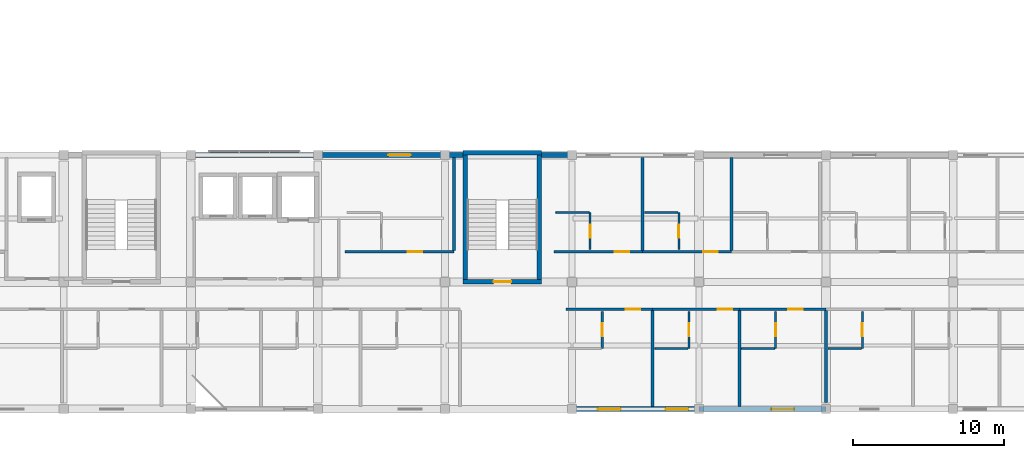
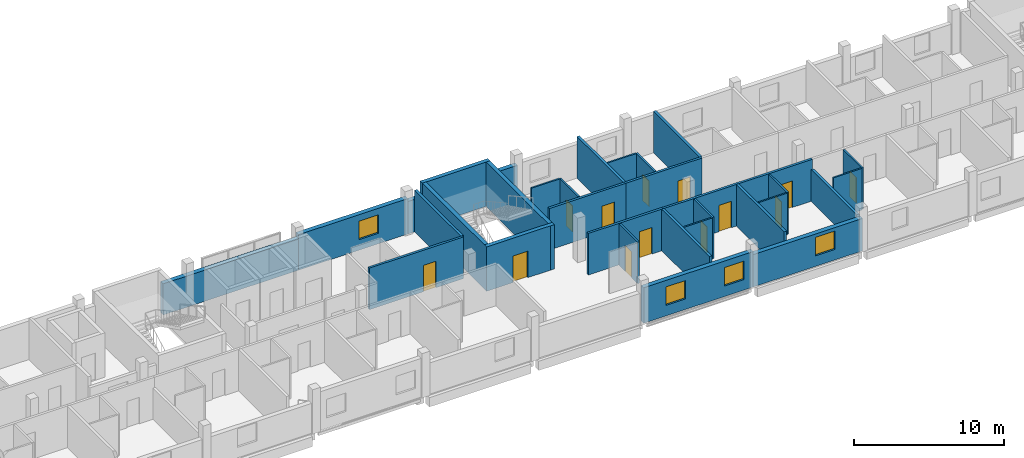
# One storey, part 18 of 25: 33 walls, 13 doors, 4 windows, 17 openings.
"""IFC4 building model written with IfcOpenShell, lengths in metres."""

from ifc_helpers import new_model, si_unit, derived_unit, direction, frame, frame_2d, origin, place, context, subcontext, project, spatial, rectangle, extrude, material, layer, layer_set, type_object, element, fill, save


model = new_model("IFC4")

# Units and contexts
model_context = context("Model", 3, precision=1e-05, world=origin(), true_north=direction((0.0, 1.0)))
body_context = subcontext(model_context, "Body", "Model", "MODEL_VIEW")
ifc_project = project(units=[si_unit("LENGTHUNIT", "METRE"), si_unit("AREAUNIT", "SQUARE_METRE"), si_unit("VOLUMEUNIT", "CUBIC_METRE"), si_unit("PLANEANGLEUNIT", "RADIAN"), si_unit("MASSUNIT", "GRAM", prefix="KILO"), derived_unit("THERMALTRANSMITTANCEUNIT", [(si_unit("POWERUNIT", "WATT"), 1), (si_unit("LENGTHUNIT", "METRE"), -2), (si_unit("THERMODYNAMICTEMPERATUREUNIT", "KELVIN"), -1)])], contexts=[model_context])

# Site, building, storey
site_placement = place(None, origin())
site = spatial("IfcSite", under=ifc_project, at=site_placement, CompositionType="ELEMENT")
building_placement = place(site_placement, origin())
building = spatial("IfcBuilding", under=site, at=building_placement, Name="Barrovel Congress Hotel", CompositionType="ELEMENT")
storey_placement = place(building_placement, frame((0.0, 0.0, 25.5)))
storey = spatial("IfcBuildingStorey", under=building, at=storey_placement, Name="L06", CompositionType="ELEMENT", Elevation=25.5)

# Wall
ifc_material_1 = material(Name="Fired Clay Brick Masonry", Category="masonry")
ifc_layer_1 = layer(ifc_material_1, 0.340087890625)
ifc_layer_set_1 = layer_set([ifc_layer_1], Name="Fired Clay Brick Masonry")
wall_type_1 = type_object("IfcWallType", Name="EW-BRK340", PredefinedType="STANDARD", material=ifc_layer_set_1)
wall_1_placement = place(storey_placement, frame((92.39990234375, 21.0, 0.0), z_axis=(0.0, 0.0, 1.0), x_axis=(-1.0, 0.0, 0.0)))
element("IfcWall", 1, at=wall_1_placement, inside=storey, type_object=wall_type_1, Name="EW:L06:HS-NE-3", PredefinedType="STANDARD", context=body_context, shape_type="SweptSolid", body=[
    extrude(rectangle(XDim=10.39990234375, YDim=0.340087890625, at=frame_2d((5.199951171875, 0.0))), origin(), (0.0, 0.0, 1.0), 2.530029296875),
])

# Wall, openings, windows
wall_2_placement = place(storey_placement, frame((109.199951171875, 4.199951171875, 0.0), z_axis=(0.0, 0.0, 1.0), x_axis=(1.0, 0.0, 0.0)))
wall_2 = element("IfcWall", 2, at=wall_2_placement, inside=storey, type_object=wall_type_1, Name="EW:L06:HS-S:P09", PredefinedType="STANDARD", context=body_context, shape_type="SweptSolid", body=[
    extrude(rectangle(XDim=8.400146484375, YDim=0.340087890625, at=frame_2d((4.2001953125, 0.0))), origin(), (0.0, 0.0, 1.0), 2.8798828125),
])
opening_1_placement = place(wall_2_placement, frame((1.716796875, 0.0, 0.85009765625)))
opening_1 = element("IfcOpeningElement", 3, at=opening_1_placement, cuts=wall_2, Name="Opening WN-07", PredefinedType="OPENING", context=body_context, shape_type="SweptSolid", body=[
    extrude(rectangle(XDim=1.5, YDim=1.5, at=frame_2d((0.75, 0.75))), frame((0.0, 0.18017578125, 0.0), z_axis=(0.0, -1.0, 0.0), x_axis=(1.0, 0.0, 0.0)), (0.0, 0.0, 1.0), 0.360107421875),
])
opening_2_placement = place(wall_2_placement, frame((6.199951171875, 0.0, 0.85009765625)))
opening_2 = element("IfcOpeningElement", 4, at=opening_2_placement, cuts=wall_2, Name="Opening WN-07", PredefinedType="OPENING", context=body_context, shape_type="SweptSolid", body=[
    extrude(rectangle(XDim=1.5, YDim=1.5, at=frame_2d((0.75, 0.75))), frame((0.0, 0.18017578125, 0.0), z_axis=(0.0, -1.0, 0.0), x_axis=(1.0, 0.0, 0.0)), (0.0, 0.0, 1.0), 0.360107421875),
])
ifc_material_2 = material(Name="Double Low-E Insulated Glazing", Category="glass")
window_type = type_object("IfcWindowType", Name="WIN-WN-07", PartitioningType="SINGLE_PANEL", PredefinedType="WINDOW", material=ifc_material_2)
window_1_placement = place(opening_1_placement, origin())
window_1 = element("IfcWindow", 5, at=window_1_placement, inside=storey, type_object=window_type, Name="WIN:L06:U12", OverallHeight=1.5, OverallWidth=1.5, PartitioningType="SINGLE_PANEL", PredefinedType="WINDOW", context=body_context, shape_type="SweptSolid", body=[
    extrude(rectangle(XDim=1.5, YDim=1.5, at=frame_2d((0.75, 0.75))), frame((0.0, 0.030029296875, 0.0), z_axis=(0.0, -1.0, 0.0), x_axis=(1.0, 0.0, 0.0)), (0.0, 0.0, 1.0), 0.06005859375),
])
fill(opening_1, window_1)
window_2_placement = place(opening_2_placement, origin())
window_2 = element("IfcWindow", 6, at=window_2_placement, inside=storey, type_object=window_type, Name="WIN:L06:U13", OverallHeight=1.5, OverallWidth=1.5, PartitioningType="SINGLE_PANEL", PredefinedType="WINDOW", context=body_context, shape_type="SweptSolid", body=[
    extrude(rectangle(XDim=1.5, YDim=1.5, at=frame_2d((0.75, 0.75))), frame((0.0, 0.030029296875, 0.0), z_axis=(0.0, -1.0, 0.0), x_axis=(1.0, 0.0, 0.0)), (0.0, 0.0, 1.0), 0.06005859375),
])
fill(opening_2, window_2)

# Wall, opening, window
wall_3_placement = place(storey_placement, frame((117.60009765625, 4.199951171875, 0.0), z_axis=(0.0, 0.0, 1.0), x_axis=(1.0, 0.0, 0.0)))
wall_3 = element("IfcWall", 7, at=wall_3_placement, inside=storey, type_object=wall_type_1, Name="EW:L06:HS-S:P10", PredefinedType="STANDARD", context=body_context, shape_type="SweptSolid", body=[
    extrude(rectangle(XDim=8.39990234375, YDim=0.340087890625, at=frame_2d((4.199951171875, 0.0))), origin(), (0.0, 0.0, 1.0), 2.6298828125),
])
opening_3_placement = place(wall_3_placement, frame((4.783447265625, 0.0, 0.85009765625)))
opening_3 = element("IfcOpeningElement", 8, at=opening_3_placement, cuts=wall_3, Name="Opening WN-07", PredefinedType="OPENING", context=body_context, shape_type="SweptSolid", body=[
    extrude(rectangle(XDim=1.5, YDim=1.5, at=frame_2d((0.75, 0.75))), frame((0.0, 0.18017578125, 0.0), z_axis=(0.0, -1.0, 0.0), x_axis=(1.0, 0.0, 0.0)), (0.0, 0.0, 1.0), 0.360107421875),
])
window_3_placement = place(opening_3_placement, origin())
window_3 = element("IfcWindow", 9, at=window_3_placement, inside=storey, type_object=window_type, Name="WIN:L06:U14", OverallHeight=1.5, OverallWidth=1.5, PartitioningType="SINGLE_PANEL", PredefinedType="WINDOW", context=body_context, shape_type="SweptSolid", body=[
    extrude(rectangle(XDim=1.5, YDim=1.5, at=frame_2d((0.75, 0.75))), frame((0.0, 0.030029296875, 0.0), z_axis=(0.0, -1.0, 0.0), x_axis=(1.0, 0.0, 0.0)), (0.0, 0.0, 1.0), 0.06005859375),
])
fill(opening_3, window_3)

# Walls
wall_4_placement = place(storey_placement, frame((109.199951171875, 21.0, 0.0), z_axis=(0.0, 0.0, 1.0), x_axis=(-1.0, 0.0, 0.0)))
element("IfcWall", 10, at=wall_4_placement, inside=storey, type_object=wall_type_1, Name="EW:L06:HS-NE-2:P06", PredefinedType="STANDARD", context=body_context, shape_type="SweptSolid", body=[
    extrude(rectangle(XDim=2.0, YDim=0.340087890625, at=frame_2d((1.0, 0.0))), origin(), (0.0, 0.0, 1.0), 2.6298828125),
])
wall_5_placement = place(storey_placement, frame((102.0, 21.0, 0.0), z_axis=(0.0, 0.0, 1.0), x_axis=(-1.0, 0.0, 0.0)))
element("IfcWall", 11, at=wall_5_placement, inside=storey, type_object=wall_type_1, Name="EW:L06:HS-NE-3:P01", PredefinedType="STANDARD", context=body_context, shape_type="SweptSolid", body=[
    extrude(rectangle(XDim=1.199951171875, YDim=0.340087890625, at=frame_2d((0.60009765625, 0.0))), origin(), (0.0, 0.0, 1.0), 2.6298828125),
])

# Wall, opening, window
wall_6_placement = place(storey_placement, frame((100.800048828125, 21.0, 0.0), z_axis=(0.0, 0.0, 1.0), x_axis=(-1.0, 0.0, 0.0)))
wall_6 = element("IfcWall", 12, at=wall_6_placement, inside=storey, type_object=wall_type_1, Name="EW:L06:HS-NE-3:P02", PredefinedType="STANDARD", context=body_context, shape_type="SweptSolid", body=[
    extrude(rectangle(XDim=8.400146484375, YDim=0.340087890625, at=frame_2d((4.2001953125, 0.0))), origin(), (0.0, 0.0, 1.0), 2.8798828125),
])
opening_4_placement = place(wall_6_placement, frame((2.25, 0.0, 0.85009765625)))
opening_4 = element("IfcOpeningElement", 13, at=opening_4_placement, cuts=wall_6, Name="Opening WN-07", PredefinedType="OPENING", context=body_context, shape_type="SweptSolid", body=[
    extrude(rectangle(XDim=1.5, YDim=1.5, at=frame_2d((0.75, 0.75))), frame((0.0, 0.18017578125, 0.0), z_axis=(0.0, -1.0, 0.0), x_axis=(1.0, 0.0, 0.0)), (0.0, 0.0, 1.0), 0.360107421875),
])
window_4_placement = place(opening_4_placement, origin())
window_4 = element("IfcWindow", 14, at=window_4_placement, inside=storey, type_object=window_type, Name="WIN:L06:U21", OverallHeight=1.5, OverallWidth=1.5, PartitioningType="SINGLE_PANEL", PredefinedType="WINDOW", context=body_context, shape_type="SweptSolid", body=[
    extrude(rectangle(XDim=1.5, YDim=1.5, at=frame_2d((0.75, 0.75))), frame((0.0, 0.030029296875, 0.0), z_axis=(0.0, -1.0, 0.0), x_axis=(1.0, 0.0, 0.0)), (0.0, 0.0, 1.0), 0.06005859375),
])
fill(opening_4, window_4)

# Wall, opening, door
ifc_material_3 = material(Name="Gypsum Acoustic Stud", Category="gypsum")
ifc_layer_2 = layer(ifc_material_3, 0.179931640625)
ifc_layer_set_2 = layer_set([ifc_layer_2], Name="Gypsum Acoustic Stud")
wall_type_2 = type_object("IfcWallType", Name="PW-ACU-180", PredefinedType="PARTITIONING", material=ifc_layer_set_2)
wall_7_placement = place(storey_placement, frame((108.800048828125, 10.800048828125, 0.0), z_axis=(0.0, 0.0, 1.0), x_axis=(1.0, 0.0, 0.0)))
wall_7 = element("IfcWall", 15, at=wall_7_placement, inside=storey, type_object=wall_type_2, Name="PW:L06:U12:COR", PredefinedType="PARTITIONING", context=body_context, shape_type="SweptSolid", body=[
    extrude(rectangle(XDim=5.733154296875, YDim=0.179931640625, at=frame_2d((2.86669921875, 0.0))), origin(), (0.0, 0.0, 1.0), 3.375),
])
opening_5_placement = place(wall_7_placement, frame((3.941650390625, 0.0, 0.0)))
opening_5 = element("IfcOpeningElement", 16, at=opening_5_placement, cuts=wall_7, Name="Opening ID-HTL", PredefinedType="OPENING", context=body_context, shape_type="SweptSolid", body=[
    extrude(rectangle(XDim=0.9599609375, YDim=2.14990234375, at=frame_2d((0.47998046875, 1.074951171875))), frame((0.0, 0.10009765625, 0.0), z_axis=(0.0, -1.0, 0.0), x_axis=(1.0, 0.0, 0.0)), (0.0, 0.0, 1.0), 0.199951171875),
])
ifc_material_4 = material(Name="Solid Oak Acoustic Timber Door", Category="wood")
door_type_1 = type_object("IfcDoorType", Name="IDR-ID-HTL", OperationType="NOTDEFINED", PredefinedType="DOOR", material=ifc_material_4)
door_1_placement = place(opening_5_placement, origin())
door_1 = element("IfcDoor", 17, at=door_1_placement, inside=storey, type_object=door_type_1, Name="DR:L06:U12:ENT", OperationType="SINGLE_SWING_RIGHT", OverallHeight=2.14990234375, OverallWidth=0.9599609375, PredefinedType="DOOR", context=body_context, shape_type="SweptSolid", body=[
    extrude(rectangle(XDim=0.9599609375, YDim=2.14990234375, at=frame_2d((0.47998046875, 1.074951171875))), frame((0.0, 0.02490234375, 0.0), z_axis=(0.0, -1.0, 0.0), x_axis=(1.0, 0.0, 0.0)), (0.0, 0.0, 1.0), 0.050048828125),
])
fill(opening_5, door_1)

wall_8_placement = place(storey_placement, frame((114.533203125, 10.800048828125, 0.0), z_axis=(0.0, 0.0, 1.0), x_axis=(1.0, 0.0, 0.0)))
wall_8 = element("IfcWall", 18, at=wall_8_placement, inside=storey, type_object=wall_type_2, Name="PW:L06:U13:COR", PredefinedType="PARTITIONING", context=body_context, shape_type="SweptSolid", body=[
    extrude(rectangle(XDim=5.7333984375, YDim=0.179931640625, at=frame_2d((2.86669921875, 0.0))), origin(), (0.0, 0.0, 1.0), 3.375),
])
opening_6_placement = place(wall_8_placement, frame((4.291748046875, 0.0, 0.0)))
opening_6 = element("IfcOpeningElement", 19, at=opening_6_placement, cuts=wall_8, Name="Opening ID-HTL", PredefinedType="OPENING", context=body_context, shape_type="SweptSolid", body=[
    extrude(rectangle(XDim=0.9599609375, YDim=2.14990234375, at=frame_2d((0.47998046875, 1.074951171875))), frame((0.0, 0.10009765625, 0.0), z_axis=(0.0, -1.0, 0.0), x_axis=(1.0, 0.0, 0.0)), (0.0, 0.0, 1.0), 0.199951171875),
])
door_2_placement = place(opening_6_placement, origin())
door_2 = element("IfcDoor", 20, at=door_2_placement, inside=storey, type_object=door_type_1, Name="DR:L06:U13:ENT", OperationType="SINGLE_SWING_RIGHT", OverallHeight=2.14990234375, OverallWidth=0.9599609375, PredefinedType="DOOR", context=body_context, shape_type="SweptSolid", body=[
    extrude(rectangle(XDim=0.9599609375, YDim=2.14990234375, at=frame_2d((0.47998046875, 1.074951171875))), frame((0.0, 0.02490234375, 0.0), z_axis=(0.0, -1.0, 0.0), x_axis=(1.0, 0.0, 0.0)), (0.0, 0.0, 1.0), 0.050048828125),
])
fill(opening_6, door_2)

wall_9_placement = place(storey_placement, frame((120.2666015625, 10.800048828125, 0.0), z_axis=(0.0, 0.0, 1.0), x_axis=(1.0, 0.0, 0.0)))
wall_9 = element("IfcWall", 21, at=wall_9_placement, inside=storey, type_object=wall_type_2, Name="PW:L06:U14:COR", PredefinedType="PARTITIONING", context=body_context, shape_type="SweptSolid", body=[
    extrude(rectangle(XDim=5.7333984375, YDim=0.179931640625, at=frame_2d((2.86669921875, 0.0))), origin(), (0.0, 0.0, 1.0), 3.375),
])
opening_7_placement = place(wall_9_placement, frame((3.24169921875, 0.0, 0.0)))
opening_7 = element("IfcOpeningElement", 22, at=opening_7_placement, cuts=wall_9, Name="Opening ID-HTL", PredefinedType="OPENING", context=body_context, shape_type="SweptSolid", body=[
    extrude(rectangle(XDim=0.9599609375, YDim=2.14990234375, at=frame_2d((0.47998046875, 1.074951171875))), frame((0.0, 0.10009765625, 0.0), z_axis=(0.0, -1.0, 0.0), x_axis=(1.0, 0.0, 0.0)), (0.0, 0.0, 1.0), 0.199951171875),
])
door_3_placement = place(opening_7_placement, origin())
door_3 = element("IfcDoor", 23, at=door_3_placement, inside=storey, type_object=door_type_1, Name="DR:L06:U14:ENT", OperationType="SINGLE_SWING_RIGHT", OverallHeight=2.14990234375, OverallWidth=0.9599609375, PredefinedType="DOOR", context=body_context, shape_type="SweptSolid", body=[
    extrude(rectangle(XDim=0.9599609375, YDim=2.14990234375, at=frame_2d((0.47998046875, 1.074951171875))), frame((0.0, 0.02490234375, 0.0), z_axis=(0.0, -1.0, 0.0), x_axis=(1.0, 0.0, 0.0)), (0.0, 0.0, 1.0), 0.050048828125),
])
fill(opening_7, door_3)

wall_10_placement = place(storey_placement, frame((94.199951171875, 14.60009765625, 0.0), z_axis=(0.0, 0.0, 1.0), x_axis=(1.0, 0.0, 0.0)))
wall_10 = element("IfcWall", 24, at=wall_10_placement, inside=storey, type_object=wall_type_2, Name="PW:L06:U21:COR", PredefinedType="PARTITIONING", context=body_context, shape_type="SweptSolid", body=[
    extrude(rectangle(XDim=7.199951171875, YDim=0.179931640625, at=frame_2d((3.60009765625, 0.0))), origin(), (0.0, 0.0, 1.0), 3.375),
])
opening_8_placement = place(wall_10_placement, frame((4.15087890625, 0.0, 0.0)))
opening_8 = element("IfcOpeningElement", 25, at=opening_8_placement, cuts=wall_10, Name="Opening ID-HTL", PredefinedType="OPENING", context=body_context, shape_type="SweptSolid", body=[
    extrude(rectangle(XDim=0.9599609375, YDim=2.14990234375, at=frame_2d((0.47998046875, 1.074951171875))), frame((0.0, 0.10009765625, 0.0), z_axis=(0.0, -1.0, 0.0), x_axis=(1.0, 0.0, 0.0)), (0.0, 0.0, 1.0), 0.199951171875),
])
door_4_placement = place(opening_8_placement, origin())
door_4 = element("IfcDoor", 26, at=door_4_placement, inside=storey, type_object=door_type_1, Name="DR:L06:U21:ENT", OperationType="SINGLE_SWING_RIGHT", OverallHeight=2.14990234375, OverallWidth=0.9599609375, PredefinedType="DOOR", context=body_context, shape_type="SweptSolid", body=[
    extrude(rectangle(XDim=0.9599609375, YDim=2.14990234375, at=frame_2d((0.47998046875, 1.074951171875))), frame((0.0, 0.02490234375, 0.0), z_axis=(0.0, -1.0, 0.0), x_axis=(1.0, 0.0, 0.0)), (0.0, 0.0, 1.0), 0.050048828125),
])
fill(opening_8, door_4)

wall_11_placement = place(storey_placement, frame((108.0, 14.60009765625, 0.0), z_axis=(0.0, 0.0, 1.0), x_axis=(1.0, 0.0, 0.0)))
wall_11 = element("IfcWall", 27, at=wall_11_placement, inside=storey, type_object=wall_type_2, Name="PW:L06:U22:COR", PredefinedType="PARTITIONING", context=body_context, shape_type="SweptSolid", body=[
    extrude(rectangle(XDim=5.86669921875, YDim=0.179931640625, at=frame_2d((2.933349609375, 0.0))), origin(), (0.0, 0.0, 1.0), 3.375),
])
opening_9_placement = place(wall_11_placement, frame((4.0244140625, 0.0, 0.0)))
opening_9 = element("IfcOpeningElement", 28, at=opening_9_placement, cuts=wall_11, Name="Opening ID-HTL", PredefinedType="OPENING", context=body_context, shape_type="SweptSolid", body=[
    extrude(rectangle(XDim=0.9599609375, YDim=2.14990234375, at=frame_2d((0.47998046875, 1.074951171875))), frame((0.0, 0.10009765625, 0.0), z_axis=(0.0, -1.0, 0.0), x_axis=(1.0, 0.0, 0.0)), (0.0, 0.0, 1.0), 0.199951171875),
])
door_5_placement = place(opening_9_placement, origin())
door_5 = element("IfcDoor", 29, at=door_5_placement, inside=storey, type_object=door_type_1, Name="DR:L06:U22:ENT", OperationType="SINGLE_SWING_RIGHT", OverallHeight=2.14990234375, OverallWidth=0.9599609375, PredefinedType="DOOR", context=body_context, shape_type="SweptSolid", body=[
    extrude(rectangle(XDim=0.9599609375, YDim=2.14990234375, at=frame_2d((0.47998046875, 1.074951171875))), frame((0.0, 0.02490234375, 0.0), z_axis=(0.0, -1.0, 0.0), x_axis=(1.0, 0.0, 0.0)), (0.0, 0.0, 1.0), 0.050048828125),
])
fill(opening_9, door_5)

wall_12_placement = place(storey_placement, frame((113.86669921875, 14.60009765625, 0.0), z_axis=(0.0, 0.0, 1.0), x_axis=(1.0, 0.0, 0.0)))
wall_12 = element("IfcWall", 30, at=wall_12_placement, inside=storey, type_object=wall_type_2, Name="PW:L06:U23:COR", PredefinedType="PARTITIONING", context=body_context, shape_type="SweptSolid", body=[
    extrude(rectangle(XDim=5.86669921875, YDim=0.179931640625, at=frame_2d((2.933349609375, 0.0))), origin(), (0.0, 0.0, 1.0), 3.375),
])
opening_10_placement = place(wall_12_placement, frame((4.0244140625, 0.0, 0.0)))
opening_10 = element("IfcOpeningElement", 31, at=opening_10_placement, cuts=wall_12, Name="Opening ID-HTL", PredefinedType="OPENING", context=body_context, shape_type="SweptSolid", body=[
    extrude(rectangle(XDim=0.9599609375, YDim=2.14990234375, at=frame_2d((0.47998046875, 1.074951171875))), frame((0.0, 0.10009765625, 0.0), z_axis=(0.0, -1.0, 0.0), x_axis=(1.0, 0.0, 0.0)), (0.0, 0.0, 1.0), 0.199951171875),
])
door_6_placement = place(opening_10_placement, origin())
door_6 = element("IfcDoor", 32, at=door_6_placement, inside=storey, type_object=door_type_1, Name="DR:L06:U23:ENT", OperationType="SINGLE_SWING_RIGHT", OverallHeight=2.14990234375, OverallWidth=0.9599609375, PredefinedType="DOOR", context=body_context, shape_type="SweptSolid", body=[
    extrude(rectangle(XDim=0.9599609375, YDim=2.14990234375, at=frame_2d((0.47998046875, 1.074951171875))), frame((0.0, 0.02490234375, 0.0), z_axis=(0.0, -1.0, 0.0), x_axis=(1.0, 0.0, 0.0)), (0.0, 0.0, 1.0), 0.050048828125),
])
fill(opening_10, door_6)

# Walls
ifc_layer_3 = layer(ifc_material_3, 0.1201171875)
ifc_layer_set_3 = layer_set([ifc_layer_3], Name="Gypsum Acoustic Stud")
wall_type_3 = type_object("IfcWallType", Name="PW-INT-120", PredefinedType="PARTITIONING", material=ifc_layer_set_3)
for number, where, z_axis, x_axis, name in (
    (33, (114.67333984375, 8.199951171875, 0.0), (0.0, 0.0, 1.0), (1.0, 0.0, 0.0), "PW:L06:U13:B2"),
    (34, (120.40673828125, 8.199951171875, 0.0), (0.0, 0.0, 1.0), (1.0, 0.0, 0.0), "PW:L06:U14:B2"),
):
    element("IfcWall", number, at=place(storey_placement, frame(where, z_axis=z_axis, x_axis=x_axis)), inside=storey, type_object=wall_type_3, Name=name, PredefinedType="PARTITIONING", context=body_context, shape_type="SweptSolid", body=[
        extrude(rectangle(XDim=2.18994140625, YDim=0.1201171875, at=frame_2d((1.094970703125, 0.0))), origin(), (0.0, 0.0, 1.0), 3.375),
    ])
for number, where, z_axis, x_axis, name in (
    (35, (126.139892578125, 8.199951171875, 0.0), (0.0, 0.0, 1.0), (1.0, 0.0, 0.0), "PW:L06:U15:B2"),
    (36, (108.139892578125, 17.199951171875, 0.0), (0.0, 0.0, 1.0), (1.0, 0.0, 0.0), "PW:L06:U22:B2"),
    (37, (114.006591796875, 17.199951171875, 0.0), (0.0, 0.0, 1.0), (1.0, 0.0, 0.0), "PW:L06:U23:B2"),
):
    element("IfcWall", number, at=place(storey_placement, frame(where, z_axis=z_axis, x_axis=x_axis)), inside=storey, type_object=wall_type_3, Name=name, PredefinedType="PARTITIONING", context=body_context, shape_type="SweptSolid", body=[
        extrude(rectangle(XDim=2.190185546875, YDim=0.1201171875, at=frame_2d((1.09521484375, 0.0))), origin(), (0.0, 0.0, 1.0), 3.375),
    ])
ifc_layer_4 = layer(ifc_material_1, 0.199951171875)
ifc_layer_set_4 = layer_set([ifc_layer_4], Name="Fired Clay Brick Masonry")
wall_type_4 = type_object("IfcWallType", Name="PW-MAS-200", PredefinedType="PARTITIONING", material=ifc_layer_set_4)
for number, where, z_axis, x_axis, name in (
    (38, (114.533203125, 4.3701171875, 0.0), (0.0, 0.0, 1.0), (0.0, 1.0, 0.0), "PW:L06:U12:DEM"),
    (39, (120.2666015625, 4.3701171875, 0.0), (0.0, 0.0, 1.0), (0.0, 1.0, 0.0), "PW:L06:U13:DEM"),
):
    element("IfcWall", number, at=place(storey_placement, frame(where, z_axis=z_axis, x_axis=x_axis)), inside=storey, type_object=wall_type_4, Name=name, PredefinedType="PARTITIONING", context=body_context, shape_type="SweptSolid", body=[
        extrude(rectangle(XDim=6.33984375, YDim=0.199951171875, at=frame_2d((3.169921875, 0.0))), origin(), (0.0, 0.0, 1.0), 3.375),
    ])
wall_13_placement = place(storey_placement, frame((126.0, 4.64990234375, 0.0), z_axis=(0.0, 0.0, 1.0), x_axis=(0.0, 1.0, 0.0)))
element("IfcWall", 40, at=wall_13_placement, inside=storey, type_object=wall_type_4, Name="PW:L06:U14:DEM", PredefinedType="PARTITIONING", context=body_context, shape_type="SweptSolid", body=[
    extrude(rectangle(XDim=6.06005859375, YDim=0.199951171875, at=frame_2d((3.030029296875, 0.0))), origin(), (0.0, 0.0, 1.0), 2.580078125),
])
for number, where, z_axis, x_axis, name in (
    (41, (101.39990234375, 14.68994140625, 0.0), (0.0, 0.0, 1.0), (0.0, 1.0, 0.0), "PW:L06:U21:DEM"),
    (42, (113.86669921875, 14.68994140625, 0.0), (0.0, 0.0, 1.0), (0.0, 1.0, 0.0), "PW:L06:U22:DEM"),
    (43, (119.7333984375, 14.68994140625, 0.0), (0.0, 0.0, 1.0), (0.0, 1.0, 0.0), "PW:L06:U23:DEM"),
):
    element("IfcWall", number, at=place(storey_placement, frame(where, z_axis=z_axis, x_axis=x_axis)), inside=storey, type_object=wall_type_4, Name=name, PredefinedType="PARTITIONING", context=body_context, shape_type="SweptSolid", body=[
        extrude(rectangle(XDim=6.14013671875, YDim=0.199951171875, at=frame_2d((3.070068359375, 0.0))), origin(), (0.0, 0.0, 1.0), 3.375),
    ])

# Wall, opening, door
ifc_material_5 = material(Name="Gypsum Moisture Board", Category="gypsum")
ifc_layer_5 = layer(ifc_material_5, 0.139892578125)
ifc_layer_set_5 = layer_set([ifc_layer_5], Name="Gypsum Moisture Board")
wall_type_5 = type_object("IfcWallType", Name="PW-WET-140", PredefinedType="PARTITIONING", material=ifc_layer_set_5)
wall_14_placement = place(storey_placement, frame((111.199951171875, 8.199951171875, 0.0), z_axis=(0.0, 0.0, 1.0), x_axis=(0.0, 1.0, 0.0)))
wall_14 = element("IfcWall", 44, at=wall_14_placement, inside=storey, type_object=wall_type_5, Name="PW:L06:U12:B1", PredefinedType="PARTITIONING", context=body_context, shape_type="SweptSolid", body=[
    extrude(rectangle(XDim=2.4599609375, YDim=0.139892578125, at=frame_2d((1.22998046875, 0.0))), origin(), (0.0, 0.0, 1.0), 3.375),
])
opening_11_placement = place(wall_14_placement, frame((0.800048828125, 0.0, 0.0)))
opening_11 = element("IfcOpeningElement", 45, at=opening_11_placement, cuts=wall_14, Name="Opening ID-ENS", PredefinedType="OPENING", context=body_context, shape_type="SweptSolid", body=[
    extrude(rectangle(XDim=0.860107421875, YDim=2.10009765625, at=frame_2d((0.43017578125, 1.050048828125))), frame((0.0, 0.080078125, 0.0), z_axis=(0.0, -1.0, 0.0), x_axis=(1.0, 0.0, 0.0)), (0.0, 0.0, 1.0), 0.159912109375),
])
ifc_material_6 = material(Name="Lacquered Timber Moisture Door", Category="wood")
door_type_2 = type_object("IfcDoorType", Name="IDR-ID-ENS", OperationType="NOTDEFINED", PredefinedType="DOOR", material=ifc_material_6)
door_7_placement = place(opening_11_placement, origin())
door_7 = element("IfcDoor", 46, at=door_7_placement, inside=storey, type_object=door_type_2, Name="DR:L06:U12:ENS", OperationType="SINGLE_SWING_LEFT", OverallHeight=2.10009765625, OverallWidth=0.860107421875, PredefinedType="DOOR", context=body_context, shape_type="SweptSolid", body=[
    extrude(rectangle(XDim=0.860107421875, YDim=2.10009765625, at=frame_2d((0.43017578125, 1.050048828125))), frame((0.0, 0.02490234375, 0.0), z_axis=(0.0, -1.0, 0.0), x_axis=(1.0, 0.0, 0.0)), (0.0, 0.0, 1.0), 0.050048828125),
])
fill(opening_11, door_7)

wall_15_placement = place(storey_placement, frame((116.933349609375, 8.199951171875, 0.0), z_axis=(0.0, 0.0, 1.0), x_axis=(0.0, 1.0, 0.0)))
wall_15 = element("IfcWall", 47, at=wall_15_placement, inside=storey, type_object=wall_type_5, Name="PW:L06:U13:B1", PredefinedType="PARTITIONING", context=body_context, shape_type="SweptSolid", body=[
    extrude(rectangle(XDim=2.4599609375, YDim=0.139892578125, at=frame_2d((1.22998046875, 0.0))), origin(), (0.0, 0.0, 1.0), 3.375),
])
opening_12_placement = place(wall_15_placement, frame((0.800048828125, 0.0, 0.0)))
opening_12 = element("IfcOpeningElement", 48, at=opening_12_placement, cuts=wall_15, Name="Opening ID-ENS", PredefinedType="OPENING", context=body_context, shape_type="SweptSolid", body=[
    extrude(rectangle(XDim=0.860107421875, YDim=2.10009765625, at=frame_2d((0.43017578125, 1.050048828125))), frame((0.0, 0.080078125, 0.0), z_axis=(0.0, -1.0, 0.0), x_axis=(1.0, 0.0, 0.0)), (0.0, 0.0, 1.0), 0.159912109375),
])
door_8_placement = place(opening_12_placement, origin())
door_8 = element("IfcDoor", 49, at=door_8_placement, inside=storey, type_object=door_type_2, Name="DR:L06:U13:ENS", OperationType="SINGLE_SWING_LEFT", OverallHeight=2.10009765625, OverallWidth=0.860107421875, PredefinedType="DOOR", context=body_context, shape_type="SweptSolid", body=[
    extrude(rectangle(XDim=0.860107421875, YDim=2.10009765625, at=frame_2d((0.43017578125, 1.050048828125))), frame((0.0, 0.02490234375, 0.0), z_axis=(0.0, -1.0, 0.0), x_axis=(1.0, 0.0, 0.0)), (0.0, 0.0, 1.0), 0.050048828125),
])
fill(opening_12, door_8)

wall_16_placement = place(storey_placement, frame((122.666748046875, 8.199951171875, 0.0), z_axis=(0.0, 0.0, 1.0), x_axis=(0.0, 1.0, 0.0)))
wall_16 = element("IfcWall", 50, at=wall_16_placement, inside=storey, type_object=wall_type_5, Name="PW:L06:U14:B1", PredefinedType="PARTITIONING", context=body_context, shape_type="SweptSolid", body=[
    extrude(rectangle(XDim=2.4599609375, YDim=0.139892578125, at=frame_2d((1.22998046875, 0.0))), origin(), (0.0, 0.0, 1.0), 3.375),
])
opening_13_placement = place(wall_16_placement, frame((0.800048828125, 0.0, 0.0)))
opening_13 = element("IfcOpeningElement", 51, at=opening_13_placement, cuts=wall_16, Name="Opening ID-ENS", PredefinedType="OPENING", context=body_context, shape_type="SweptSolid", body=[
    extrude(rectangle(XDim=0.860107421875, YDim=2.10009765625, at=frame_2d((0.43017578125, 1.050048828125))), frame((0.0, 0.080078125, 0.0), z_axis=(0.0, -1.0, 0.0), x_axis=(1.0, 0.0, 0.0)), (0.0, 0.0, 1.0), 0.159912109375),
])
door_9_placement = place(opening_13_placement, origin())
door_9 = element("IfcDoor", 52, at=door_9_placement, inside=storey, type_object=door_type_2, Name="DR:L06:U14:ENS", OperationType="SINGLE_SWING_LEFT", OverallHeight=2.10009765625, OverallWidth=0.860107421875, PredefinedType="DOOR", context=body_context, shape_type="SweptSolid", body=[
    extrude(rectangle(XDim=0.860107421875, YDim=2.10009765625, at=frame_2d((0.43017578125, 1.050048828125))), frame((0.0, 0.02490234375, 0.0), z_axis=(0.0, -1.0, 0.0), x_axis=(1.0, 0.0, 0.0)), (0.0, 0.0, 1.0), 0.050048828125),
])
fill(opening_13, door_9)

wall_17_placement = place(storey_placement, frame((128.39990234375, 8.199951171875, 0.0), z_axis=(0.0, 0.0, 1.0), x_axis=(0.0, 1.0, 0.0)))
wall_17 = element("IfcWall", 53, at=wall_17_placement, inside=storey, type_object=wall_type_5, Name="PW:L06:U15:B1", PredefinedType="PARTITIONING", context=body_context, shape_type="SweptSolid", body=[
    extrude(rectangle(XDim=2.4599609375, YDim=0.139892578125, at=frame_2d((1.22998046875, 0.0))), origin(), (0.0, 0.0, 1.0), 3.375),
])
opening_14_placement = place(wall_17_placement, frame((0.800048828125, 0.0, 0.0)))
opening_14 = element("IfcOpeningElement", 54, at=opening_14_placement, cuts=wall_17, Name="Opening ID-ENS", PredefinedType="OPENING", context=body_context, shape_type="SweptSolid", body=[
    extrude(rectangle(XDim=0.860107421875, YDim=2.10009765625, at=frame_2d((0.43017578125, 1.050048828125))), frame((0.0, 0.080078125, 0.0), z_axis=(0.0, -1.0, 0.0), x_axis=(1.0, 0.0, 0.0)), (0.0, 0.0, 1.0), 0.159912109375),
])
door_10_placement = place(opening_14_placement, origin())
door_10 = element("IfcDoor", 55, at=door_10_placement, inside=storey, type_object=door_type_2, Name="DR:L06:U15:ENS", OperationType="SINGLE_SWING_LEFT", OverallHeight=2.10009765625, OverallWidth=0.860107421875, PredefinedType="DOOR", context=body_context, shape_type="SweptSolid", body=[
    extrude(rectangle(XDim=0.860107421875, YDim=2.10009765625, at=frame_2d((0.43017578125, 1.050048828125))), frame((0.0, 0.02490234375, 0.0), z_axis=(0.0, -1.0, 0.0), x_axis=(1.0, 0.0, 0.0)), (0.0, 0.0, 1.0), 0.050048828125),
])
fill(opening_14, door_10)

wall_18_placement = place(storey_placement, frame((110.39990234375, 14.739990234375, 0.0), z_axis=(0.0, 0.0, 1.0), x_axis=(0.0, 1.0, 0.0)))
wall_18 = element("IfcWall", 56, at=wall_18_placement, inside=storey, type_object=wall_type_5, Name="PW:L06:U22:B1", PredefinedType="PARTITIONING", context=body_context, shape_type="SweptSolid", body=[
    extrude(rectangle(XDim=2.4599609375, YDim=0.139892578125, at=frame_2d((1.22998046875, 0.0))), origin(), (0.0, 0.0, 1.0), 3.375),
])
opening_15_placement = place(wall_18_placement, frame((0.800048828125, 0.0, 0.0)))
opening_15 = element("IfcOpeningElement", 57, at=opening_15_placement, cuts=wall_18, Name="Opening ID-ENS", PredefinedType="OPENING", context=body_context, shape_type="SweptSolid", body=[
    extrude(rectangle(XDim=0.860107421875, YDim=2.10009765625, at=frame_2d((0.43017578125, 1.050048828125))), frame((0.0, 0.080078125, 0.0), z_axis=(0.0, -1.0, 0.0), x_axis=(1.0, 0.0, 0.0)), (0.0, 0.0, 1.0), 0.159912109375),
])
door_11_placement = place(opening_15_placement, origin())
door_11 = element("IfcDoor", 58, at=door_11_placement, inside=storey, type_object=door_type_2, Name="DR:L06:U22:ENS", OperationType="SINGLE_SWING_LEFT", OverallHeight=2.10009765625, OverallWidth=0.860107421875, PredefinedType="DOOR", context=body_context, shape_type="SweptSolid", body=[
    extrude(rectangle(XDim=0.860107421875, YDim=2.10009765625, at=frame_2d((0.43017578125, 1.050048828125))), frame((0.0, 0.02490234375, 0.0), z_axis=(0.0, -1.0, 0.0), x_axis=(1.0, 0.0, 0.0)), (0.0, 0.0, 1.0), 0.050048828125),
])
fill(opening_15, door_11)

wall_19_placement = place(storey_placement, frame((116.2666015625, 14.739990234375, 0.0), z_axis=(0.0, 0.0, 1.0), x_axis=(0.0, 1.0, 0.0)))
wall_19 = element("IfcWall", 59, at=wall_19_placement, inside=storey, type_object=wall_type_5, Name="PW:L06:U23:B1", PredefinedType="PARTITIONING", context=body_context, shape_type="SweptSolid", body=[
    extrude(rectangle(XDim=2.4599609375, YDim=0.139892578125, at=frame_2d((1.22998046875, 0.0))), origin(), (0.0, 0.0, 1.0), 3.375),
])
opening_16_placement = place(wall_19_placement, frame((0.800048828125, 0.0, 0.0)))
opening_16 = element("IfcOpeningElement", 60, at=opening_16_placement, cuts=wall_19, Name="Opening ID-ENS", PredefinedType="OPENING", context=body_context, shape_type="SweptSolid", body=[
    extrude(rectangle(XDim=0.860107421875, YDim=2.10009765625, at=frame_2d((0.43017578125, 1.050048828125))), frame((0.0, 0.080078125, 0.0), z_axis=(0.0, -1.0, 0.0), x_axis=(1.0, 0.0, 0.0)), (0.0, 0.0, 1.0), 0.159912109375),
])
door_12_placement = place(opening_16_placement, origin())
door_12 = element("IfcDoor", 61, at=door_12_placement, inside=storey, type_object=door_type_2, Name="DR:L06:U23:ENS", OperationType="SINGLE_SWING_LEFT", OverallHeight=2.10009765625, OverallWidth=0.860107421875, PredefinedType="DOOR", context=body_context, shape_type="SweptSolid", body=[
    extrude(rectangle(XDim=0.860107421875, YDim=2.10009765625, at=frame_2d((0.43017578125, 1.050048828125))), frame((0.0, 0.02490234375, 0.0), z_axis=(0.0, -1.0, 0.0), x_axis=(1.0, 0.0, 0.0)), (0.0, 0.0, 1.0), 0.050048828125),
])
fill(opening_16, door_12)

ifc_material_7 = material(Name="Concrete C40", Category="concrete")
ifc_layer_6 = layer(ifc_material_7, 0.300048828125)
ifc_layer_set_6 = layer_set([ifc_layer_6], Name="Concrete C40")
wall_type_6 = type_object("IfcWallType", Name="SW-C40-300", PredefinedType="SHEAR", material=ifc_layer_set_6)
wall_20_placement = place(storey_placement, frame((102.0, 12.610107421875, 0.0), z_axis=(0.0, 0.0, 1.0), x_axis=(1.0, 0.0, 0.0)))
wall_20 = element("IfcWall", 62, at=wall_20_placement, inside=storey, type_object=wall_type_6, Name="SHW:XS-03:L06:S", PredefinedType="SHEAR", context=body_context, shape_type="SweptSolid", body=[
    extrude(rectangle(XDim=5.199951171875, YDim=0.300048828125, at=frame_2d((2.60009765625, 0.0))), origin(), (0.0, 0.0, 1.0), 3.60009765625),
])
opening_17_placement = place(wall_20_placement, frame((2.02490234375, 0.0, 0.0)))
opening_17 = element("IfcOpeningElement", 63, at=opening_17_placement, cuts=wall_20, Name="Opening ID-ST1", PredefinedType="OPENING", context=body_context, shape_type="SweptSolid", body=[
    extrude(rectangle(XDim=1.14990234375, YDim=2.14990234375, at=frame_2d((0.574951171875, 1.074951171875))), frame((0.0, 0.16015625, 0.0), z_axis=(0.0, -1.0, 0.0), x_axis=(1.0, 0.0, 0.0)), (0.0, 0.0, 1.0), 0.320068359375),
])
ifc_material_8 = material(Name="Painted Hollow-Metal Steel Door", Category="steel")
door_type_3 = type_object("IfcDoorType", Name="IDR-ID-ST1", OperationType="NOTDEFINED", PredefinedType="DOOR", material=ifc_material_8)
door_13_placement = place(opening_17_placement, origin())
door_13 = element("IfcDoor", 64, at=door_13_placement, inside=storey, type_object=door_type_3, Name="Stair Core Fire Door XS-03-L06", OperationType="SINGLE_SWING_RIGHT", OverallHeight=2.14990234375, OverallWidth=1.14990234375, PredefinedType="DOOR", context=body_context, shape_type="SweptSolid", body=[
    extrude(rectangle(XDim=1.14990234375, YDim=2.14990234375, at=frame_2d((0.574951171875, 1.074951171875))), frame((0.0, 0.02490234375, 0.0), z_axis=(0.0, -1.0, 0.0), x_axis=(1.0, 0.0, 0.0)), (0.0, 0.0, 1.0), 0.050048828125),
])
fill(opening_17, door_13)

# Walls
wall_21_placement = place(storey_placement, frame((107.050048828125, 12.4599609375, 0.0), z_axis=(0.0, 0.0, 1.0), x_axis=(0.0, 1.0, 0.0)))
element("IfcWall", 65, at=wall_21_placement, inside=storey, type_object=wall_type_6, Name="SHW:XS-03:L06:E", PredefinedType="SHEAR", context=body_context, shape_type="SweptSolid", body=[
    extrude(rectangle(XDim=8.840087890625, YDim=0.300048828125, at=frame_2d((4.419921875, 0.0))), origin(), (0.0, 0.0, 1.0), 3.60009765625),
])
wall_22_placement = place(storey_placement, frame((107.199951171875, 21.14990234375, 0.0), z_axis=(0.0, 0.0, 1.0), x_axis=(-1.0, 0.0, 0.0)))
element("IfcWall", 66, at=wall_22_placement, inside=storey, type_object=wall_type_6, Name="SHW:XS-03:L06:N", PredefinedType="SHEAR", context=body_context, shape_type="SweptSolid", body=[
    extrude(rectangle(XDim=5.199951171875, YDim=0.300048828125, at=frame_2d((2.60009765625, 0.0))), origin(), (0.0, 0.0, 1.0), 3.60009765625),
])
wall_23_placement = place(storey_placement, frame((102.14990234375, 21.300048828125, 0.0), z_axis=(0.0, 0.0, 1.0), x_axis=(0.0, -1.0, 0.0)))
element("IfcWall", 67, at=wall_23_placement, inside=storey, type_object=wall_type_6, Name="SHW:XS-03:L06:W", PredefinedType="SHEAR", context=body_context, shape_type="SweptSolid", body=[
    extrude(rectangle(XDim=8.840087890625, YDim=0.300048828125, at=frame_2d((4.419921875, 0.0))), origin(), (0.0, 0.0, 1.0), 3.60009765625),
])

save(model, "model.ifc")
